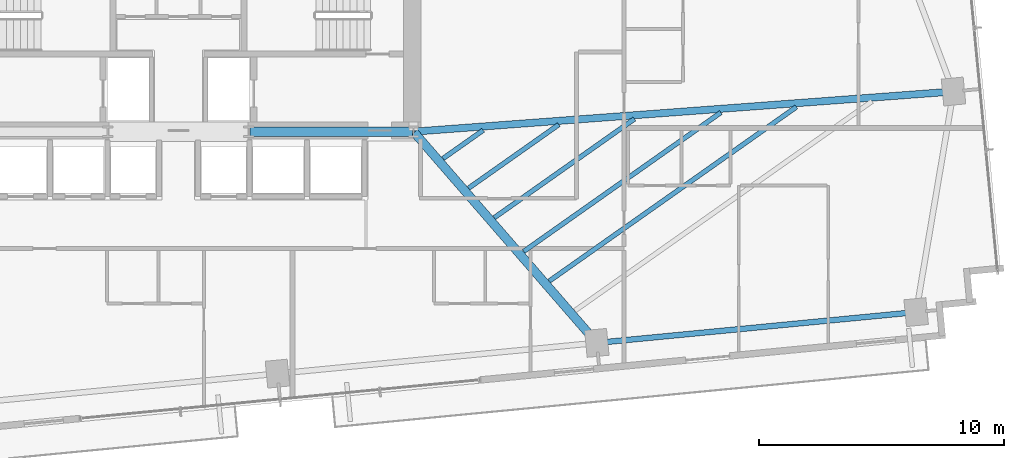
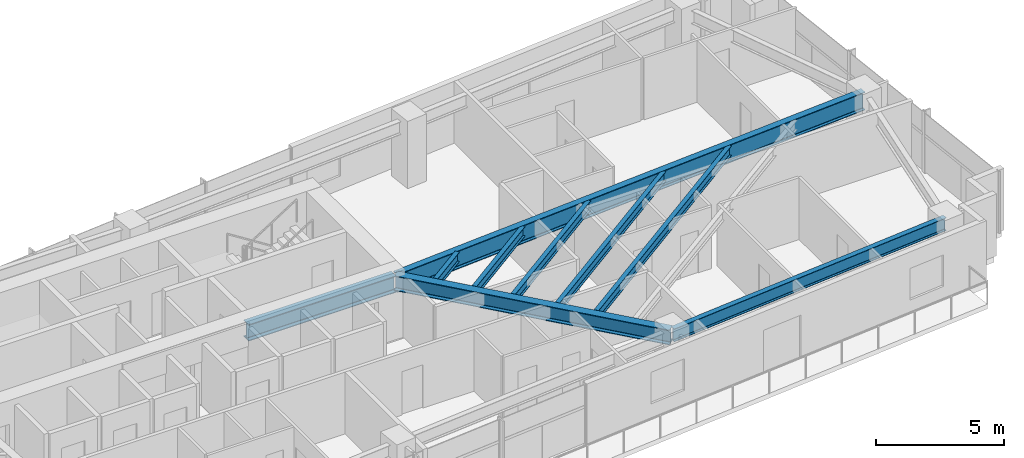
# One storey, part 13 of 27: 9 beams.
"""IFC4 building model written with IfcOpenShell, lengths in metres."""

from ifc_helpers import new_model, si_unit, direction, frame, origin, origin_2d, place, context, subcontext, project, spatial, i_section, extrude, source, transform, mapped, material, material_profile, profile_set, type_object, type_shapes, element, save


model = new_model("IFC4")

# Units and contexts
model_context = context("Model", 3, precision=1e-05, world=origin(), true_north=direction((0.0, 1.0)))
body_context = subcontext(model_context, "Body", "Model", "MODEL_VIEW")
ifc_project = project(units=[si_unit("LENGTHUNIT", "METRE"), si_unit("AREAUNIT", "SQUARE_METRE"), si_unit("VOLUMEUNIT", "CUBIC_METRE"), si_unit("PLANEANGLEUNIT", "RADIAN"), si_unit("MASSUNIT", "GRAM", prefix="KILO")], contexts=[model_context])

# Site, building, storey
site_placement = place(None, origin())
site = spatial("IfcSite", under=ifc_project, at=site_placement, CompositionType="ELEMENT")
building_placement = place(site_placement, origin())
building = spatial("IfcBuilding", under=site, at=building_placement, Name="Astriad Promenade Condominiums", CompositionType="ELEMENT")
storey_placement = place(building_placement, frame((0.0, 0.0, 97.0)))
storey = spatial("IfcBuildingStorey", under=building, at=storey_placement, Name="L27", CompositionType="ELEMENT", Elevation=97.0)

# Beams
ifc_material = material(Name="Steel ASTM A992 Grade 50", Category="steel")
ifc_material_profile_1 = material_profile(ifc_material, i_section(OverallWidth=0.3837890625, OverallDepth=0.785888671875, WebThickness=0.019775390625, FlangeThickness=0.033447265625, FilletRadius=0.021484375, at=origin_2d()), Name="W30X211")
ifc_profile_set_1 = profile_set([ifc_material_profile_1], Name="Steel ASTM A992 Grade 50")
beam_type_1 = type_object("IfcBeamType", Name="STEEL FLOOR GIRDER W30X211", PredefinedType="BEAM", material=ifc_profile_set_1)
shared_shape_1 = source(origin(), body_context, "Body", "SweptSolid", [
    extrude(i_section(OverallWidth=0.3837890625, OverallDepth=0.785888671875, WebThickness=0.019775390625, FlangeThickness=0.033447265625, FilletRadius=0.021484375, at=origin_2d()), origin(), (0.0, 0.0, 1.0), 6.64013671875),
])
type_shapes(beam_type_1, [shared_shape_1])
beam_1_placement = place(storey_placement, frame((38.919921875, 17.39990234375, 2.547119140625), z_axis=(1.0, 0.0, 0.0), x_axis=(0.0, 1.0, 0.0)))
element("IfcBeam", 1, at=beam_1_placement, inside=storey, type_object=beam_type_1, Name="Core Ring Beam CG-S3-L27", PredefinedType="BEAM", context=body_context, shape_type="MappedRepresentation", body=[
    mapped(shared_shape_1, transform((0.0, 0.0, 0.0), scale=1.0)),
])
ifc_material_profile_2 = material_profile(ifc_material, i_section(OverallWidth=0.22900390625, OverallDepth=0.612060546875, WebThickness=0.011962890625, FlangeThickness=0.01953125, FilletRadius=0.017822265625, at=origin_2d()), Name="W24X84")
ifc_profile_set_2 = profile_set([ifc_material_profile_2], Name="Steel ASTM A992 Grade 50")
beam_type_2 = type_object("IfcBeamType", Name="STEEL SPANDREL BEAM W24X84", PredefinedType="SPANDREL", material=ifc_profile_set_2)
shared_shape_2 = source(origin(), body_context, "Body", "SweptSolid", [
    extrude(i_section(OverallWidth=0.22900390625, OverallDepth=0.612060546875, WebThickness=0.011962890625, FlangeThickness=0.01953125, FilletRadius=0.017822265625, at=origin_2d()), origin(), (0.0, 0.0, 1.0), 13.020263671875),
])
type_shapes(beam_type_2, [shared_shape_2])
beam_2_placement = place(storey_placement, frame((53.124755859375, 8.780029296875, 2.6337890625), z_axis=(0.995395311238, 0.095854965264, 0.0), x_axis=(-0.095854965264, 0.995395311238, 0.0)))
element("IfcBeam", 2, at=beam_2_placement, inside=storey, type_object=beam_type_2, Name="Perimeter Spandrel Beam SP-S4-L27", PredefinedType="SPANDREL", context=body_context, shape_type="MappedRepresentation", body=[
    mapped(shared_shape_2, transform((0.0, 0.0, 0.0), scale=1.0)),
])
ifc_material_profile_3 = material_profile(ifc_material, i_section(OverallWidth=0.35791015625, OverallDepth=0.706298828125, WebThickness=0.018310546875, FlangeThickness=0.0302734375, FilletRadius=0.020263671875, at=origin_2d()), Name="W27X178")
ifc_profile_set_3 = profile_set([ifc_material_profile_3], Name="Steel ASTM A992 Grade 50")
beam_type_3 = type_object("IfcBeamType", Name="STEEL FLOOR GIRDER W27X178", PredefinedType="BEAM", material=ifc_profile_set_3)
shared_shape_3 = source(origin(), body_context, "Body", "SweptSolid", [
    extrude(i_section(OverallWidth=0.35791015625, OverallDepth=0.706298828125, WebThickness=0.018310546875, FlangeThickness=0.0302734375, FilletRadius=0.020263671875, at=origin_2d()), origin(), (0.0, 0.0, 1.0), 11.339111328125),
])
type_shapes(beam_type_3, [shared_shape_3])
beam_3_placement = place(storey_placement, frame((53.058837890625, 8.806396484375, 2.5869140625), z_axis=(-0.65548120109, 0.755211490258, 0.0), x_axis=(-0.755211490258, -0.65548120109, 0.0)))
element("IfcBeam", 3, at=beam_3_placement, inside=storey, type_object=beam_type_3, Name="Primary Floor Girder PG-E2-L27", PredefinedType="BEAM", context=body_context, shape_type="MappedRepresentation", body=[
    mapped(shared_shape_3, transform((0.0, 0.0, 0.0), scale=1.0)),
])
ifc_material_profile_4 = material_profile(ifc_material, i_section(OverallWidth=0.2919921875, OverallDepth=0.85888671875, WebThickness=0.01708984375, FlangeThickness=0.031005859375, FilletRadius=0.02294921875, at=origin_2d()), Name="W33X169")
ifc_profile_set_4 = profile_set([ifc_material_profile_4], Name="Steel ASTM A992 Grade 50")
beam_type_4 = type_object("IfcBeamType", Name="STEEL PRIMARY GIRDER W33X169", PredefinedType="BEAM", material=ifc_profile_set_4)
shared_shape_4 = source(origin(), body_context, "Body", "SweptSolid", [
    extrude(i_section(OverallWidth=0.2919921875, OverallDepth=0.85888671875, WebThickness=0.01708984375, FlangeThickness=0.031005859375, FilletRadius=0.02294921875, at=origin_2d()), origin(), (0.0, 0.0, 1.0), 22.029052734375),
])
type_shapes(beam_type_4, [shared_shape_4])
beam_4_placement = place(storey_placement, frame((67.6083984375, 19.036376953125, 2.510498046875), z_axis=(-0.99724763887, -0.074142745897, 0.0), x_axis=(0.074142745897, -0.99724763887, 0.0)))
element("IfcBeam", 4, at=beam_4_placement, inside=storey, type_object=beam_type_4, Name="Primary Floor Girder PG-EM-L27", PredefinedType="BEAM", context=body_context, shape_type="MappedRepresentation", body=[
    mapped(shared_shape_4, transform((0.0, 0.0, 0.0), scale=1.0)),
])
ifc_material_profile_5 = material_profile(ifc_material, i_section(OverallWidth=0.19287109375, OverallDepth=0.466064453125, WebThickness=0.011474609375, FlangeThickness=0.01904296875, FilletRadius=0.01513671875, at=origin_2d()), Name="W18X65")
ifc_profile_set_5 = profile_set([ifc_material_profile_5], Name="Steel ASTM A992 Grade 50")
beam_type_5 = type_object("IfcBeamType", Name="STEEL FLOOR JOIST W18X65", PredefinedType="JOIST", material=ifc_profile_set_5)
shared_shape_5 = source(origin(), body_context, "Body", "SweptSolid", [
    extrude(i_section(OverallWidth=0.19287109375, OverallDepth=0.466064453125, WebThickness=0.011474609375, FlangeThickness=0.01904296875, FilletRadius=0.01513671875, at=origin_2d()), origin(), (0.0, 0.0, 1.0), 12.34375),
])
beam_5_placement = place(storey_placement, frame((51.144287109375, 11.30029296875, 2.706787109375), z_axis=(0.817418723738, 0.576043948048, 0.0), x_axis=(-0.576043948048, 0.817418723738, 0.0)))
element("IfcBeam", 5, at=beam_5_placement, inside=storey, type_object=beam_type_5, Name="Secondary Composite Floor Joist JE1-2-L27", PredefinedType="JOIST", context=body_context, shape_type="MappedRepresentation", body=[
    mapped(shared_shape_5, transform((0.0, 0.0, 0.0), scale=1.0)),
])
shared_shape_6 = source(origin(), body_context, "Body", "SweptSolid", [
    extrude(i_section(OverallWidth=0.19287109375, OverallDepth=0.466064453125, WebThickness=0.011474609375, FlangeThickness=0.01904296875, FilletRadius=0.01513671875, at=origin_2d()), origin(), (0.0, 0.0, 1.0), 9.849609375),
])
beam_6_placement = place(storey_placement, frame((50.096435546875, 12.507568359375, 2.706787109375), z_axis=(0.817418240833, 0.5760446333, 0.0), x_axis=(-0.5760446333, 0.817418240833, 0.0)))
element("IfcBeam", 6, at=beam_6_placement, inside=storey, type_object=beam_type_5, Name="Secondary Composite Floor Joist JE1-3-L27", PredefinedType="JOIST", context=body_context, shape_type="MappedRepresentation", body=[
    mapped(shared_shape_6, transform((0.0, 0.0, 0.0), scale=1.0)),
])
shared_shape_7 = source(origin(), body_context, "Body", "SweptSolid", [
    extrude(i_section(OverallWidth=0.19287109375, OverallDepth=0.466064453125, WebThickness=0.011474609375, FlangeThickness=0.01904296875, FilletRadius=0.01513671875, at=origin_2d()), origin(), (0.0, 0.0, 1.0), 6.9990234375),
])
beam_7_placement = place(storey_placement, frame((48.898681640625, 13.88720703125, 2.706787109375), z_axis=(0.81742196028, 0.576039355298, 0.0), x_axis=(-0.576039355298, 0.81742196028, 0.0)))
element("IfcBeam", 7, at=beam_7_placement, inside=storey, type_object=beam_type_5, Name="Secondary Composite Floor Joist JE1-4-L27", PredefinedType="JOIST", context=body_context, shape_type="MappedRepresentation", body=[
    mapped(shared_shape_7, transform((0.0, 0.0, 0.0), scale=1.0)),
])
shared_shape_8 = source(origin(), body_context, "Body", "SweptSolid", [
    extrude(i_section(OverallWidth=0.19287109375, OverallDepth=0.466064453125, WebThickness=0.011474609375, FlangeThickness=0.01904296875, FilletRadius=0.01513671875, at=origin_2d()), origin(), (0.0, 0.0, 1.0), 4.504638671875),
])
beam_8_placement = place(storey_placement, frame((47.850830078125, 15.0947265625, 2.706787109375), z_axis=(0.817448215019, 0.576002097012, 0.0), x_axis=(-0.576002097012, 0.817448215019, 0.0)))
element("IfcBeam", 8, at=beam_8_placement, inside=storey, type_object=beam_type_5, Name="Secondary Composite Floor Joist JE1-5-L27", PredefinedType="JOIST", context=body_context, shape_type="MappedRepresentation", body=[
    mapped(shared_shape_8, transform((0.0, 0.0, 0.0), scale=1.0)),
])
shared_shape_9 = source(origin(), body_context, "Body", "SweptSolid", [
    extrude(i_section(OverallWidth=0.19287109375, OverallDepth=0.466064453125, WebThickness=0.011474609375, FlangeThickness=0.01904296875, FilletRadius=0.01513671875, at=origin_2d()), origin(), (0.0, 0.0, 1.0), 2.01025390625),
])
type_shapes(beam_type_5, [shared_shape_5, shared_shape_6, shared_shape_7, shared_shape_8, shared_shape_9])
beam_9_placement = place(storey_placement, frame((46.802978515625, 16.302001953125, 2.706787109375), z_axis=(0.8174421453, 0.576010710913, 0.0), x_axis=(-0.576010710913, 0.8174421453, 0.0)))
element("IfcBeam", 9, at=beam_9_placement, inside=storey, type_object=beam_type_5, Name="Secondary Composite Floor Joist JE1-6-L27", PredefinedType="JOIST", context=body_context, shape_type="MappedRepresentation", body=[
    mapped(shared_shape_9, transform((0.0, 0.0, 0.0), scale=1.0)),
])

save(model, "model.ifc")
